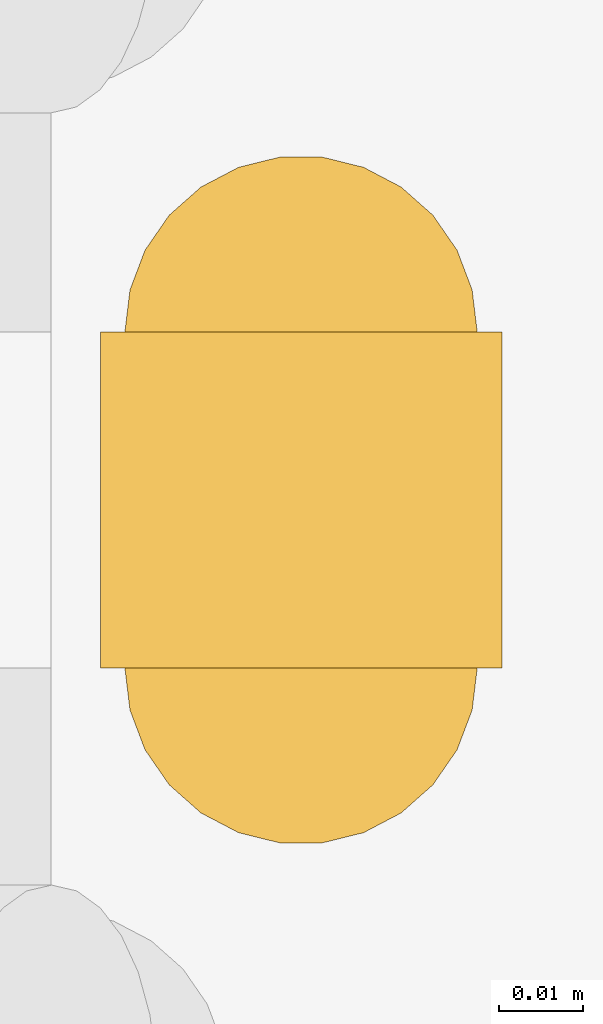
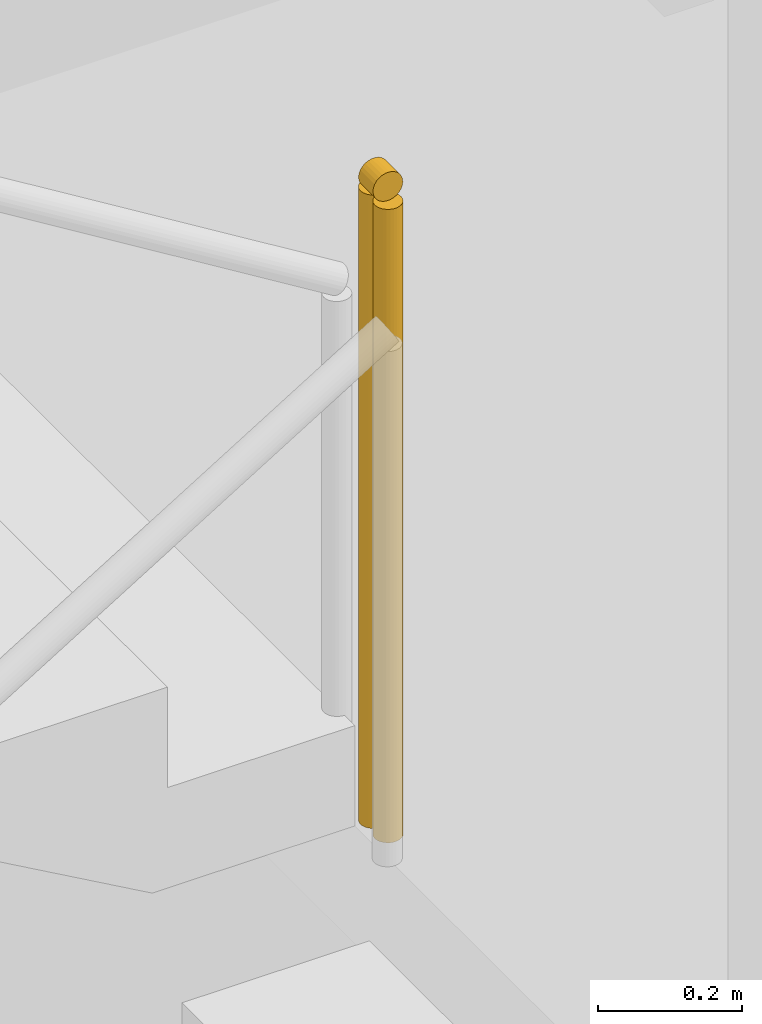
# One storey, part 192 of 196: 1 railing.
"""IFC4 building model written with IfcOpenShell, lengths in metres."""

from ifc_helpers import new_model, si_unit, direction, frame, origin, origin_2d, place, context, subcontext, project, spatial, circle, extrude, material, type_object, element, save


model = new_model("IFC4")

# Units and contexts
model_context = context("Model", 3, precision=1e-05, world=origin(), true_north=direction((0.0, 1.0)))
body_context = subcontext(model_context, "Body", "Model", "MODEL_VIEW")
ifc_project = project(units=[si_unit("LENGTHUNIT", "METRE"), si_unit("AREAUNIT", "SQUARE_METRE"), si_unit("VOLUMEUNIT", "CUBIC_METRE"), si_unit("PLANEANGLEUNIT", "RADIAN"), si_unit("MASSUNIT", "GRAM", prefix="KILO")], contexts=[model_context])

# Site, building, storey
site_placement = place(None, origin())
site = spatial("IfcSite", under=ifc_project, at=site_placement, CompositionType="ELEMENT")
building_placement = place(site_placement, origin())
building = spatial("IfcBuilding", under=site, at=building_placement, Name="Asteropetra Specialist Clinic", CompositionType="ELEMENT")
storey_placement = place(building_placement, origin())
storey = spatial("IfcBuildingStorey", under=building, at=storey_placement, Name="L00", CompositionType="ELEMENT", Elevation=0.0)

# Railing
ifc_material = material(Name="Steel S355 and laminated glass guard", Category="steel")
railing_type = type_object("IfcRailingType", Name="GRD-INT-1120", PredefinedType="GUARDRAIL", material=ifc_material)
railing_placement = place(storey_placement, frame((130.3798828125, 45.669921875, 2.2099609375)))
element("IfcRailing", 1, at=railing_placement, inside=storey, type_object=railing_type, Name="Landing Slot Guard ST09-L00", PredefinedType="GUARDRAIL", context=body_context, shape_type="SweptSolid", body=[
    extrude(circle(Radius=0.02392578125, at=origin_2d()), frame((0.0, 0.0, 1.09619140625), z_axis=(0.0, 1.0, 0.0), x_axis=(-1.0, 0.0, 0.0)), (0.0, 0.0, 1.0), 0.0400390625),
    extrude(circle(Radius=0.02099609375, at=origin_2d()), origin(), (0.0, 0.0, 1.0), 1.072021484375),
    extrude(circle(Radius=0.02099609375, at=origin_2d()), frame((0.0, 0.0400390625, 0.0)), (0.0, 0.0, 1.0), 1.072021484375),
])

save(model, "model.ifc")
